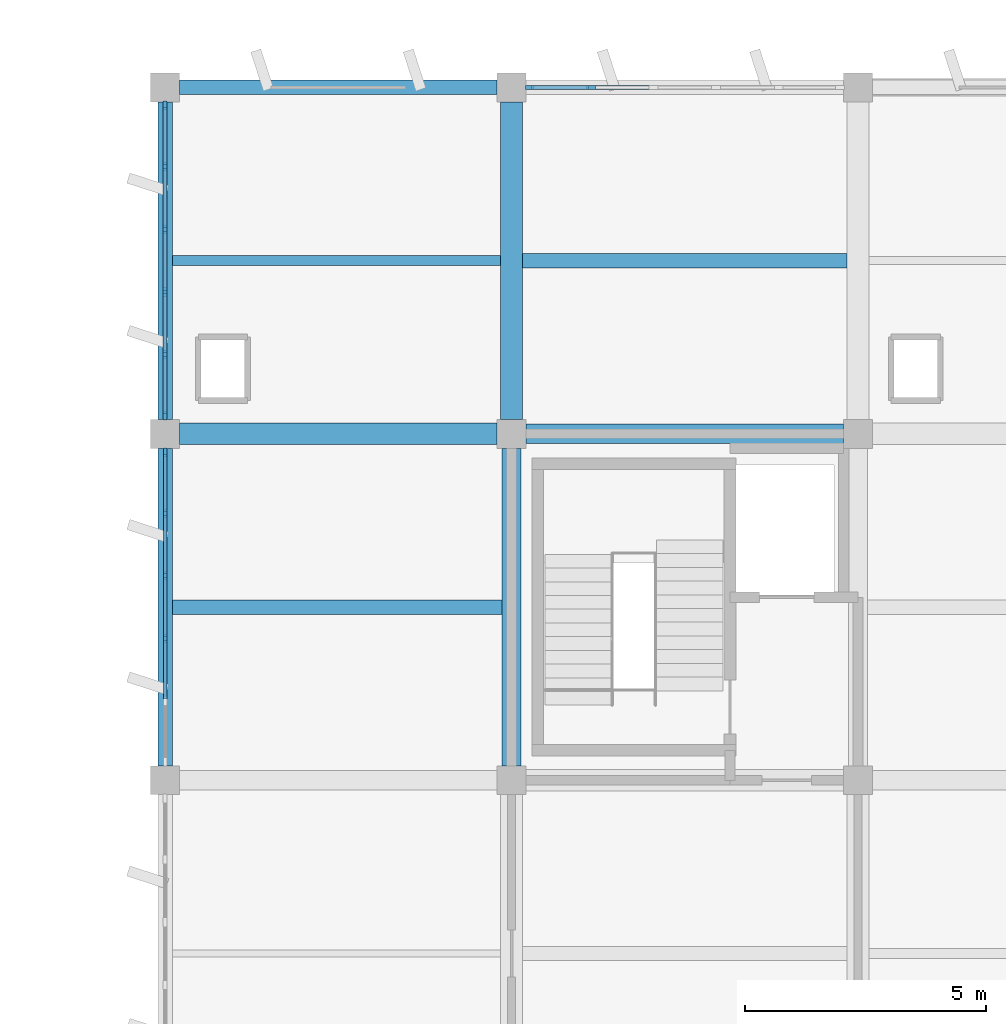
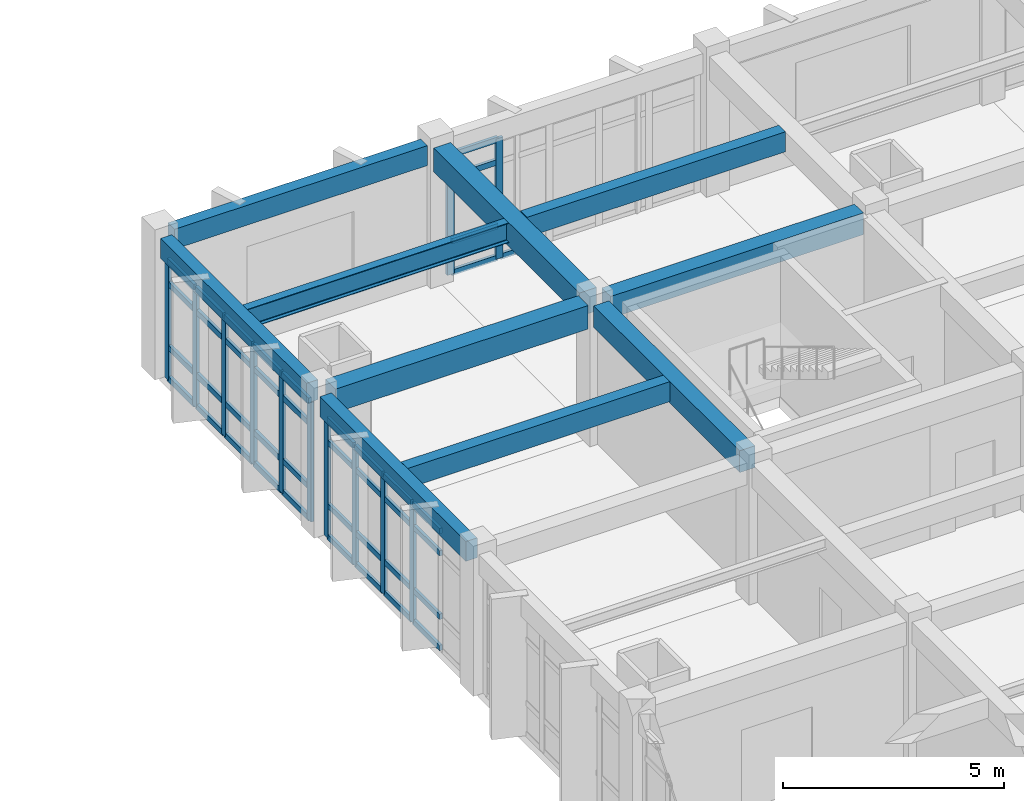
# One storey, part 20 of 62: 54 members, 9 beams, 3 elements without a shape of their own.
"""IFC4 building model written with IfcOpenShell, lengths in metres."""

from ifc_helpers import new_model, si_unit, direction, frame, origin, origin_2d, place, context, subcontext, project, spatial, rectangle, i_section, extrude, material, layer, layer_set, material_profile, profile_set, type_object, element, aggregate, save


model = new_model("IFC4")

# Units and contexts
model_context = context("Model", 3, precision=1e-05, world=origin(), true_north=direction((0.0, 1.0)))
body_context = subcontext(model_context, "Body", "Model", "MODEL_VIEW")
ifc_project = project(units=[si_unit("LENGTHUNIT", "METRE"), si_unit("AREAUNIT", "SQUARE_METRE"), si_unit("VOLUMEUNIT", "CUBIC_METRE"), si_unit("PLANEANGLEUNIT", "RADIAN"), si_unit("MASSUNIT", "GRAM", prefix="KILO")], contexts=[model_context])

# Site, building, storey
site_placement = place(None, origin())
site = spatial("IfcSite", under=ifc_project, at=site_placement, CompositionType="ELEMENT")
building_placement = place(site_placement, origin())
building = spatial("IfcBuilding", under=site, at=building_placement, Name="Kavelor Marine Aquarium", CompositionType="ELEMENT")
storey_placement = place(building_placement, frame((0.0, 0.0, 13.5)))
storey = spatial("IfcBuildingStorey", under=building, at=storey_placement, Name="L03", CompositionType="ELEMENT", Elevation=13.5)

# Beams
ifc_material_1 = material(Name="Concrete C40/50", Category="concrete")
ifc_material_profile_1 = material_profile(ifc_material_1, rectangle(XDim=0.449951171875, YDim=0.64990234375, at=origin_2d()), Name="RC-BM 450x650")
ifc_profile_set_1 = profile_set([ifc_material_profile_1], Name="Concrete C40/50")
beam_type_1 = type_object("IfcBeamType", Name="BM-B3", PredefinedType="BEAM", material=ifc_profile_set_1)
for number, where, z_axis, x_axis, name in (
    (1, (118.699951171875, 103.60009765625, 3.534912109375), (1.0, 0.0, 0.0), (0.0, 1.0, 0.0), "bm:x:L03:L04:16_14"),
    (2, (125.60009765625, 103.89990234375, 3.534912109375), (0.0, 1.0, 0.0), (-1.0, 0.0, 0.0), "bm:y:L03:L04:17_14"),
):
    element("IfcBeam", number, at=place(storey_placement, frame(where, z_axis=z_axis, x_axis=x_axis)), inside=storey, type_object=beam_type_1, Name=name, PredefinedType="BEAM", context=body_context, shape_type="SweptSolid", body=[
        extrude(rectangle(XDim=0.449951171875, YDim=0.64990234375, at=origin_2d()), origin(), (0.0, 0.0, 1.0), 6.60009765625),
    ])
ifc_material_2 = material(Name="Concrete C40/50", Category="concrete")
ifc_material_profile_2 = material_profile(ifc_material_2, rectangle(XDim=0.39990234375, YDim=0.60009765625, at=origin_2d()), Name="RC-BM 400x600")
ifc_profile_set_2 = profile_set([ifc_material_profile_2], Name="Concrete C40/50")
beam_type_2 = type_object("IfcBeamType", Name="BM-B4", PredefinedType="BEAM", material=ifc_profile_set_2)
for number, where, z_axis, x_axis, name in (
    (3, (125.89990234375, 103.60009765625, 3.580078125), (1.0, 0.0, 0.0), (0.0, 1.0, 0.0), "bm:x:L03:L04:17_14"),
    (4, (125.60009765625, 96.699951171875, 3.56005859375), (0.0, 1.0, 0.0), (-1.0, 0.0, 0.0), "bm:y:L03:L04:17_13"),
):
    element("IfcBeam", number, at=place(storey_placement, frame(where, z_axis=z_axis, x_axis=x_axis)), inside=storey, type_object=beam_type_2, Name=name, PredefinedType="BEAM", context=body_context, shape_type="SweptSolid", body=[
        extrude(rectangle(XDim=0.39990234375, YDim=0.60009765625, at=origin_2d()), origin(), (0.0, 0.0, 1.0), 6.60009765625),
    ])
ifc_material_3 = material(Name="Concrete C40/50", Category="concrete")
ifc_material_profile_3 = material_profile(ifc_material_3, rectangle(XDim=0.300048828125, YDim=0.550048828125, at=origin_2d()), Name="RC-JS 300x550")
ifc_profile_set_3 = profile_set([ifc_material_profile_3], Name="Concrete C40/50")
beam_type_3 = type_object("IfcBeamType", Name="BM-JS2", PredefinedType="JOIST", material=ifc_profile_set_3)
beam_1_placement = place(storey_placement, frame((118.550048828125, 100.0, 3.5849609375), z_axis=(1.0, 0.0, 0.0), x_axis=(0.0, 1.0, 0.0)))
element("IfcBeam", 5, at=beam_1_placement, inside=storey, type_object=beam_type_3, Name="js:L03:L04:16_13", PredefinedType="JOIST", context=body_context, shape_type="SweptSolid", body=[
    extrude(rectangle(XDim=0.300048828125, YDim=0.550048828125, at=origin_2d()), origin(), (0.0, 0.0, 1.0), 6.849853515625),
])
beam_2_placement = place(storey_placement, frame((125.824951171875, 107.199951171875, 3.60498046875), z_axis=(1.0, 0.0, 0.0), x_axis=(0.0, 1.0, 0.0)))
element("IfcBeam", 6, at=beam_2_placement, inside=storey, type_object=beam_type_3, Name="js:L03:L04:17_14", PredefinedType="JOIST", context=body_context, shape_type="SweptSolid", body=[
    extrude(rectangle(XDim=0.300048828125, YDim=0.550048828125, at=origin_2d()), origin(), (0.0, 0.0, 1.0), 6.75),
])
ifc_material_4 = material(Name="Concrete C40/50", Category="concrete")
ifc_material_profile_4 = material_profile(ifc_material_4, rectangle(XDim=0.300048828125, YDim=0.550048828125, at=origin_2d()), Name="RC-SP 300x550")
ifc_profile_set_4 = profile_set([ifc_material_profile_4], Name="Concrete C40/50")
beam_type_4 = type_object("IfcBeamType", Name="BM-SP2", PredefinedType="SPANDREL", material=ifc_profile_set_4)
for number, where, z_axis, x_axis, name in (
    (7, (118.699951171875, 110.800048828125, 3.5849609375), (1.0, 0.0, 0.0), (0.0, 1.0, 0.0), "bm:x:L03:L04:16_15"),
    (8, (118.39990234375, 96.699951171875, 3.5849609375), (0.0, 1.0, 0.0), (-1.0, 0.0, 0.0), "bm:y:L03:L04:16_13"),
    (9, (118.39990234375, 103.89990234375, 3.5849609375), (0.0, 1.0, 0.0), (-1.0, 0.0, 0.0), "bm:y:L03:L04:16_14"),
):
    element("IfcBeam", number, at=place(storey_placement, frame(where, z_axis=z_axis, x_axis=x_axis)), inside=storey, type_object=beam_type_4, Name=name, PredefinedType="SPANDREL", context=body_context, shape_type="SweptSolid", body=[
        extrude(rectangle(XDim=0.300048828125, YDim=0.550048828125, at=origin_2d()), origin(), (0.0, 0.0, 1.0), 6.60009765625),
    ])

# Curtain wall, members
ifc_material_5 = material(Name="Thermally Broken Aluminium and Low-E Glass", Category="aluminium")
ifc_layer_1 = layer(ifc_material_5, 0.196044921875)
ifc_layer_set_1 = layer_set([ifc_layer_1], Name="CW-SYS7")
curtain_wall_type_1 = type_object("IfcCurtainWallType", Name="CW-SYS7", PredefinedType="USERDEFINED", material=ifc_layer_set_1)
curtain_wall_1_placement = place(storey_placement, origin())
curtain_wall_1 = element("IfcCurtainWall", 10, at=curtain_wall_1_placement, inside=storey, type_object=curtain_wall_type_1, Name="cw:y:L03:16_13", ObjectType="Curtain Wall", PredefinedType="USERDEFINED")
ifc_material_6 = material(Name="Anodised Aluminium Alloy 6063-T6", Category="aluminium")
ifc_material_profile_5 = material_profile(ifc_material_6, rectangle(XDim=0.074951171875, YDim=0.179931640625, at=origin_2d()), Name="CW-MUL 75x180")
ifc_profile_set_5 = profile_set([ifc_material_profile_5], Name="Anodised Aluminium Alloy 6063-T6")
member_type_1 = type_object("IfcMemberType", Name="CWM-1", PredefinedType="MULLION", material=ifc_profile_set_5)
member_1_placement = place(storey_placement, frame((118.39990234375, 103.217529296875, 0.0), z_axis=(0.0, 0.0, 1.0), x_axis=(1.0, 0.0, 0.0)))
member_1 = element("IfcMember", 11, at=member_1_placement, type_object=member_type_1, Name="CW07 mullion 1", PredefinedType="MULLION", context=body_context, shape_type="SweptSolid", body=[
    extrude(rectangle(XDim=0.074951171875, YDim=0.179931640625, at=origin_2d()), origin(), (0.0, 0.0, 1.0), 3.300048828125),
])
member_2_placement = place(storey_placement, frame((118.39990234375, 101.952880859375, 0.0), z_axis=(0.0, 0.0, 1.0), x_axis=(1.0, 0.0, 0.0)))
member_2 = element("IfcMember", 12, at=member_2_placement, type_object=member_type_1, Name="CW07 mullion 2", PredefinedType="MULLION", context=body_context, shape_type="SweptSolid", body=[
    extrude(rectangle(XDim=0.074951171875, YDim=0.179931640625, at=origin_2d()), origin(), (0.0, 0.0, 1.0), 3.300048828125),
])
member_3_placement = place(storey_placement, frame((118.39990234375, 100.65087890625, 0.0), z_axis=(0.0, 0.0, 1.0), x_axis=(1.0, 0.0, 0.0)))
member_3 = element("IfcMember", 13, at=member_3_placement, type_object=member_type_1, Name="CW07 mullion 3", PredefinedType="MULLION", context=body_context, shape_type="SweptSolid", body=[
    extrude(rectangle(XDim=0.074951171875, YDim=0.179931640625, at=origin_2d()), origin(), (0.0, 0.0, 1.0), 3.300048828125),
])
member_4_placement = place(storey_placement, frame((118.39990234375, 99.34912109375, 0.0), z_axis=(0.0, 0.0, 1.0), x_axis=(1.0, 0.0, 0.0)))
member_4 = element("IfcMember", 14, at=member_4_placement, type_object=member_type_1, Name="CW07 mullion 4", PredefinedType="MULLION", context=body_context, shape_type="SweptSolid", body=[
    extrude(rectangle(XDim=0.074951171875, YDim=0.179931640625, at=origin_2d()), origin(), (0.0, 0.0, 1.0), 3.300048828125),
])

ifc_material_7 = material(Name="Thermally Broken Aluminium and Low-E Glass", Category="aluminium")
ifc_layer_2 = layer(ifc_material_7, 0.2041015625)
ifc_layer_set_2 = layer_set([ifc_layer_2], Name="CW-SYS8")
curtain_wall_type_2 = type_object("IfcCurtainWallType", Name="CW-SYS8", PredefinedType="USERDEFINED", material=ifc_layer_set_2)
curtain_wall_2_placement = place(storey_placement, origin())
curtain_wall_2 = element("IfcCurtainWall", 15, at=curtain_wall_2_placement, inside=storey, type_object=curtain_wall_type_2, Name="cw:x:L03:17_15", ObjectType="Curtain Wall", PredefinedType="USERDEFINED")
ifc_material_8 = material(Name="Anodised Aluminium Alloy 6063-T6", Category="aluminium")
ifc_material_profile_6 = material_profile(ifc_material_8, rectangle(XDim=0.080078125, YDim=0.18505859375, at=origin_2d()), Name="CW-MUL 80x185")
ifc_profile_set_6 = profile_set([ifc_material_profile_6], Name="Anodised Aluminium Alloy 6063-T6")
member_type_2 = type_object("IfcMemberType", Name="CWM-2", PredefinedType="MULLION", material=ifc_profile_set_6)
member_5_placement = place(storey_placement, frame((125.9775390625, 110.800048828125, 0.0), z_axis=(0.0, 0.0, 1.0), x_axis=(0.0, 1.0, 0.0)))
member_5 = element("IfcMember", 16, at=member_5_placement, type_object=member_type_2, Name="CW08 mullion 1", PredefinedType="MULLION", context=body_context, shape_type="SweptSolid", body=[
    extrude(rectangle(XDim=0.080078125, YDim=0.18505859375, at=origin_2d()), origin(), (0.0, 0.0, 1.0), 3.320068359375),
])
member_6_placement = place(storey_placement, frame((127.2470703125, 110.800048828125, 0.0), z_axis=(0.0, 0.0, 1.0), x_axis=(0.0, 1.0, 0.0)))
member_6 = element("IfcMember", 17, at=member_6_placement, type_object=member_type_2, Name="CW08 mullion 2", PredefinedType="MULLION", context=body_context, shape_type="SweptSolid", body=[
    extrude(rectangle(XDim=0.080078125, YDim=0.18505859375, at=origin_2d()), origin(), (0.0, 0.0, 1.0), 3.320068359375),
])

curtain_wall_3_placement = place(storey_placement, origin())
curtain_wall_3 = element("IfcCurtainWall", 18, at=curtain_wall_3_placement, inside=storey, type_object=curtain_wall_type_2, Name="cw:y:L03:16_14", ObjectType="Curtain Wall", PredefinedType="USERDEFINED")
member_7_placement = place(storey_placement, frame((118.39990234375, 110.422607421875, 0.0), z_axis=(0.0, 0.0, 1.0), x_axis=(1.0, 0.0, 0.0)))
member_7 = element("IfcMember", 19, at=member_7_placement, type_object=member_type_2, Name="CW08 mullion 1", PredefinedType="MULLION", context=body_context, shape_type="SweptSolid", body=[
    extrude(rectangle(XDim=0.080078125, YDim=0.18505859375, at=origin_2d()), origin(), (0.0, 0.0, 1.0), 3.300048828125),
])
member_8_placement = place(storey_placement, frame((118.39990234375, 109.153076171875, 0.0), z_axis=(0.0, 0.0, 1.0), x_axis=(1.0, 0.0, 0.0)))
member_8 = element("IfcMember", 20, at=member_8_placement, type_object=member_type_2, Name="CW08 mullion 2", PredefinedType="MULLION", context=body_context, shape_type="SweptSolid", body=[
    extrude(rectangle(XDim=0.080078125, YDim=0.18505859375, at=origin_2d()), origin(), (0.0, 0.0, 1.0), 3.300048828125),
])
member_9_placement = place(storey_placement, frame((118.39990234375, 107.85107421875, 0.0), z_axis=(0.0, 0.0, 1.0), x_axis=(1.0, 0.0, 0.0)))
member_9 = element("IfcMember", 21, at=member_9_placement, type_object=member_type_2, Name="CW08 mullion 3", PredefinedType="MULLION", context=body_context, shape_type="SweptSolid", body=[
    extrude(rectangle(XDim=0.080078125, YDim=0.18505859375, at=origin_2d()), origin(), (0.0, 0.0, 1.0), 3.300048828125),
])
member_10_placement = place(storey_placement, frame((118.39990234375, 106.549072265625, 0.0), z_axis=(0.0, 0.0, 1.0), x_axis=(1.0, 0.0, 0.0)))
member_10 = element("IfcMember", 22, at=member_10_placement, type_object=member_type_2, Name="CW08 mullion 4", PredefinedType="MULLION", context=body_context, shape_type="SweptSolid", body=[
    extrude(rectangle(XDim=0.080078125, YDim=0.18505859375, at=origin_2d()), origin(), (0.0, 0.0, 1.0), 3.300048828125),
])
member_11_placement = place(storey_placement, frame((118.39990234375, 105.2470703125, 0.0), z_axis=(0.0, 0.0, 1.0), x_axis=(1.0, 0.0, 0.0)))
member_11 = element("IfcMember", 23, at=member_11_placement, type_object=member_type_2, Name="CW08 mullion 5", PredefinedType="MULLION", context=body_context, shape_type="SweptSolid", body=[
    extrude(rectangle(XDim=0.080078125, YDim=0.18505859375, at=origin_2d()), origin(), (0.0, 0.0, 1.0), 3.300048828125),
])
member_12_placement = place(storey_placement, frame((118.39990234375, 103.9775390625, 0.0), z_axis=(0.0, 0.0, 1.0), x_axis=(1.0, 0.0, 0.0)))
member_12 = element("IfcMember", 24, at=member_12_placement, type_object=member_type_2, Name="CW08 mullion 6", PredefinedType="MULLION", context=body_context, shape_type="SweptSolid", body=[
    extrude(rectangle(XDim=0.080078125, YDim=0.18505859375, at=origin_2d()), origin(), (0.0, 0.0, 1.0), 3.300048828125),
])

# Member
ifc_material_9 = material(Name="Anodised Aluminium Alloy 6063-T6", Category="aluminium")
ifc_material_profile_7 = material_profile(ifc_material_9, rectangle(XDim=0.074951171875, YDim=0.14990234375, at=origin_2d()), Name="CW-TRN 75x150")
ifc_profile_set_7 = profile_set([ifc_material_profile_7], Name="Anodised Aluminium Alloy 6063-T6")
member_type_3 = type_object("IfcMemberType", Name="CWT-1", PredefinedType="USERDEFINED", material=ifc_profile_set_7)
member_13_placement = place(storey_placement, frame((118.39990234375, 103.179931640625, 0.03759765625), z_axis=(0.0, -1.0, 0.0), x_axis=(1.0, 0.0, 0.0)))
member_13 = element("IfcMember", 25, at=member_13_placement, type_object=member_type_3, Name="CW07 transom 1.1", ObjectType="TRANSOM", PredefinedType="USERDEFINED", context=body_context, shape_type="SweptSolid", body=[
    extrude(rectangle(XDim=0.074951171875, YDim=0.14990234375, at=origin_2d()), origin(), (0.0, 0.0, 1.0), 1.189453125),
])

member_14_placement = place(storey_placement, frame((118.39990234375, 103.179931640625, 0.89990234375), z_axis=(0.0, -1.0, 0.0), x_axis=(1.0, 0.0, 0.0)))
member_14 = element("IfcMember", 26, at=member_14_placement, type_object=member_type_3, Name="CW07 transom 1.2", ObjectType="TRANSOM", PredefinedType="USERDEFINED", context=body_context, shape_type="SweptSolid", body=[
    extrude(rectangle(XDim=0.074951171875, YDim=0.14990234375, at=origin_2d()), origin(), (0.0, 0.0, 1.0), 1.189453125),
])

member_15_placement = place(storey_placement, frame((118.39990234375, 103.179931640625, 2.64990234375), z_axis=(0.0, -1.0, 0.0), x_axis=(1.0, 0.0, 0.0)))
member_15 = element("IfcMember", 27, at=member_15_placement, type_object=member_type_3, Name="CW07 transom 1.3", ObjectType="TRANSOM", PredefinedType="USERDEFINED", context=body_context, shape_type="SweptSolid", body=[
    extrude(rectangle(XDim=0.074951171875, YDim=0.14990234375, at=origin_2d()), origin(), (0.0, 0.0, 1.0), 1.189453125),
])

member_16_placement = place(storey_placement, frame((118.39990234375, 103.179931640625, 3.262451171875), z_axis=(0.0, -1.0, 0.0), x_axis=(1.0, 0.0, 0.0)))
member_16 = element("IfcMember", 28, at=member_16_placement, type_object=member_type_3, Name="CW07 transom 1.4", ObjectType="TRANSOM", PredefinedType="USERDEFINED", context=body_context, shape_type="SweptSolid", body=[
    extrude(rectangle(XDim=0.074951171875, YDim=0.14990234375, at=origin_2d()), origin(), (0.0, 0.0, 1.0), 1.189453125),
])

member_17_placement = place(storey_placement, frame((118.39990234375, 101.91552734375, 0.03759765625), z_axis=(0.0, -1.0, 0.0), x_axis=(1.0, 0.0, 0.0)))
member_17 = element("IfcMember", 29, at=member_17_placement, type_object=member_type_3, Name="CW07 transom 2.1", ObjectType="TRANSOM", PredefinedType="USERDEFINED", context=body_context, shape_type="SweptSolid", body=[
    extrude(rectangle(XDim=0.074951171875, YDim=0.14990234375, at=origin_2d()), origin(), (0.0, 0.0, 1.0), 1.22705078125),
])

member_18_placement = place(storey_placement, frame((118.39990234375, 101.91552734375, 0.89990234375), z_axis=(0.0, -1.0, 0.0), x_axis=(1.0, 0.0, 0.0)))
member_18 = element("IfcMember", 30, at=member_18_placement, type_object=member_type_3, Name="CW07 transom 2.2", ObjectType="TRANSOM", PredefinedType="USERDEFINED", context=body_context, shape_type="SweptSolid", body=[
    extrude(rectangle(XDim=0.074951171875, YDim=0.14990234375, at=origin_2d()), origin(), (0.0, 0.0, 1.0), 1.22705078125),
])

member_19_placement = place(storey_placement, frame((118.39990234375, 101.91552734375, 2.64990234375), z_axis=(0.0, -1.0, 0.0), x_axis=(1.0, 0.0, 0.0)))
member_19 = element("IfcMember", 31, at=member_19_placement, type_object=member_type_3, Name="CW07 transom 2.3", ObjectType="TRANSOM", PredefinedType="USERDEFINED", context=body_context, shape_type="SweptSolid", body=[
    extrude(rectangle(XDim=0.074951171875, YDim=0.14990234375, at=origin_2d()), origin(), (0.0, 0.0, 1.0), 1.22705078125),
])

member_20_placement = place(storey_placement, frame((118.39990234375, 101.91552734375, 3.262451171875), z_axis=(0.0, -1.0, 0.0), x_axis=(1.0, 0.0, 0.0)))
member_20 = element("IfcMember", 32, at=member_20_placement, type_object=member_type_3, Name="CW07 transom 2.4", ObjectType="TRANSOM", PredefinedType="USERDEFINED", context=body_context, shape_type="SweptSolid", body=[
    extrude(rectangle(XDim=0.074951171875, YDim=0.14990234375, at=origin_2d()), origin(), (0.0, 0.0, 1.0), 1.22705078125),
])

member_21_placement = place(storey_placement, frame((118.39990234375, 100.613525390625, 0.03759765625), z_axis=(0.0, -1.0, 0.0), x_axis=(1.0, 0.0, 0.0)))
member_21 = element("IfcMember", 33, at=member_21_placement, type_object=member_type_3, Name="CW07 transom 3.1", ObjectType="TRANSOM", PredefinedType="USERDEFINED", context=body_context, shape_type="SweptSolid", body=[
    extrude(rectangle(XDim=0.074951171875, YDim=0.14990234375, at=origin_2d()), origin(), (0.0, 0.0, 1.0), 1.22705078125),
])

member_22_placement = place(storey_placement, frame((118.39990234375, 100.613525390625, 0.89990234375), z_axis=(0.0, -1.0, 0.0), x_axis=(1.0, 0.0, 0.0)))
member_22 = element("IfcMember", 34, at=member_22_placement, type_object=member_type_3, Name="CW07 transom 3.2", ObjectType="TRANSOM", PredefinedType="USERDEFINED", context=body_context, shape_type="SweptSolid", body=[
    extrude(rectangle(XDim=0.074951171875, YDim=0.14990234375, at=origin_2d()), origin(), (0.0, 0.0, 1.0), 1.22705078125),
])

member_23_placement = place(storey_placement, frame((118.39990234375, 100.613525390625, 2.64990234375), z_axis=(0.0, -1.0, 0.0), x_axis=(1.0, 0.0, 0.0)))
member_23 = element("IfcMember", 35, at=member_23_placement, type_object=member_type_3, Name="CW07 transom 3.3", ObjectType="TRANSOM", PredefinedType="USERDEFINED", context=body_context, shape_type="SweptSolid", body=[
    extrude(rectangle(XDim=0.074951171875, YDim=0.14990234375, at=origin_2d()), origin(), (0.0, 0.0, 1.0), 1.22705078125),
])

member_24_placement = place(storey_placement, frame((118.39990234375, 100.613525390625, 3.262451171875), z_axis=(0.0, -1.0, 0.0), x_axis=(1.0, 0.0, 0.0)))
member_24 = element("IfcMember", 36, at=member_24_placement, type_object=member_type_3, Name="CW07 transom 3.4", ObjectType="TRANSOM", PredefinedType="USERDEFINED", context=body_context, shape_type="SweptSolid", body=[
    extrude(rectangle(XDim=0.074951171875, YDim=0.14990234375, at=origin_2d()), origin(), (0.0, 0.0, 1.0), 1.22705078125),
])

member_25_placement = place(storey_placement, frame((118.39990234375, 99.3115234375, 0.03759765625), z_axis=(0.0, -1.0, 0.0), x_axis=(1.0, 0.0, 0.0)))
member_25 = element("IfcMember", 37, at=member_25_placement, type_object=member_type_3, Name="CW07 transom 4.1", ObjectType="TRANSOM", PredefinedType="USERDEFINED", context=body_context, shape_type="SweptSolid", body=[
    extrude(rectangle(XDim=0.074951171875, YDim=0.14990234375, at=origin_2d()), origin(), (0.0, 0.0, 1.0), 1.22705078125),
])

member_26_placement = place(storey_placement, frame((118.39990234375, 99.3115234375, 0.89990234375), z_axis=(0.0, -1.0, 0.0), x_axis=(1.0, 0.0, 0.0)))
member_26 = element("IfcMember", 38, at=member_26_placement, type_object=member_type_3, Name="CW07 transom 4.2", ObjectType="TRANSOM", PredefinedType="USERDEFINED", context=body_context, shape_type="SweptSolid", body=[
    extrude(rectangle(XDim=0.074951171875, YDim=0.14990234375, at=origin_2d()), origin(), (0.0, 0.0, 1.0), 1.22705078125),
])

member_27_placement = place(storey_placement, frame((118.39990234375, 99.3115234375, 2.64990234375), z_axis=(0.0, -1.0, 0.0), x_axis=(1.0, 0.0, 0.0)))
member_27 = element("IfcMember", 39, at=member_27_placement, type_object=member_type_3, Name="CW07 transom 4.3", ObjectType="TRANSOM", PredefinedType="USERDEFINED", context=body_context, shape_type="SweptSolid", body=[
    extrude(rectangle(XDim=0.074951171875, YDim=0.14990234375, at=origin_2d()), origin(), (0.0, 0.0, 1.0), 1.22705078125),
])

member_28_placement = place(storey_placement, frame((118.39990234375, 99.3115234375, 3.262451171875), z_axis=(0.0, -1.0, 0.0), x_axis=(1.0, 0.0, 0.0)))
member_28 = element("IfcMember", 40, at=member_28_placement, type_object=member_type_3, Name="CW07 transom 4.4", ObjectType="TRANSOM", PredefinedType="USERDEFINED", context=body_context, shape_type="SweptSolid", body=[
    extrude(rectangle(XDim=0.074951171875, YDim=0.14990234375, at=origin_2d()), origin(), (0.0, 0.0, 1.0), 1.22705078125),
])

aggregate(curtain_wall_1, [member_1, member_2, member_3, member_4, member_13, member_14, member_15, member_16, member_17, member_18, member_19, member_20, member_21, member_22, member_23, member_24, member_25, member_26, member_27, member_28])

ifc_material_10 = material(Name="Anodised Aluminium Alloy 6063-T6", Category="aluminium")
ifc_material_profile_8 = material_profile(ifc_material_10, rectangle(XDim=0.080078125, YDim=0.155029296875, at=origin_2d()), Name="CW-TRN 80x155")
ifc_profile_set_8 = profile_set([ifc_material_profile_8], Name="Anodised Aluminium Alloy 6063-T6")
member_type_4 = type_object("IfcMemberType", Name="CWT-2", PredefinedType="USERDEFINED", material=ifc_profile_set_8)
member_29_placement = place(storey_placement, frame((126.010009765625, 110.800048828125, 0.032470703125), z_axis=(1.0, 0.0, 0.0), x_axis=(0.0, 1.0, 0.0)))
member_29 = element("IfcMember", 41, at=member_29_placement, type_object=member_type_4, Name="CW08 transom 1.1", ObjectType="TRANSOM", PredefinedType="USERDEFINED", context=body_context, shape_type="SweptSolid", body=[
    extrude(rectangle(XDim=0.080078125, YDim=0.155029296875, at=origin_2d()), origin(), (0.0, 0.0, 1.0), 1.20458984375),
])

member_30_placement = place(storey_placement, frame((126.010009765625, 110.800048828125, 0.89990234375), z_axis=(1.0, 0.0, 0.0), x_axis=(0.0, 1.0, 0.0)))
member_30 = element("IfcMember", 42, at=member_30_placement, type_object=member_type_4, Name="CW08 transom 1.2", ObjectType="TRANSOM", PredefinedType="USERDEFINED", context=body_context, shape_type="SweptSolid", body=[
    extrude(rectangle(XDim=0.080078125, YDim=0.155029296875, at=origin_2d()), origin(), (0.0, 0.0, 1.0), 1.20458984375),
])

member_31_placement = place(storey_placement, frame((126.010009765625, 110.800048828125, 2.669921875), z_axis=(1.0, 0.0, 0.0), x_axis=(0.0, 1.0, 0.0)))
member_31 = element("IfcMember", 43, at=member_31_placement, type_object=member_type_4, Name="CW08 transom 1.3", ObjectType="TRANSOM", PredefinedType="USERDEFINED", context=body_context, shape_type="SweptSolid", body=[
    extrude(rectangle(XDim=0.080078125, YDim=0.155029296875, at=origin_2d()), origin(), (0.0, 0.0, 1.0), 1.20458984375),
])

member_32_placement = place(storey_placement, frame((126.010009765625, 110.800048828125, 3.28759765625), z_axis=(1.0, 0.0, 0.0), x_axis=(0.0, 1.0, 0.0)))
member_32 = element("IfcMember", 44, at=member_32_placement, type_object=member_type_4, Name="CW08 transom 1.4", ObjectType="TRANSOM", PredefinedType="USERDEFINED", context=body_context, shape_type="SweptSolid", body=[
    extrude(rectangle(XDim=0.080078125, YDim=0.155029296875, at=origin_2d()), origin(), (0.0, 0.0, 1.0), 1.20458984375),
])

member_33_placement = place(storey_placement, frame((127.279541015625, 110.800048828125, 0.032470703125), z_axis=(1.0, 0.0, 0.0), x_axis=(0.0, 1.0, 0.0)))
member_33 = element("IfcMember", 45, at=member_33_placement, type_object=member_type_4, Name="CW08 transom 2.1", ObjectType="TRANSOM", PredefinedType="USERDEFINED", context=body_context, shape_type="SweptSolid", body=[
    extrude(rectangle(XDim=0.080078125, YDim=0.155029296875, at=origin_2d()), origin(), (0.0, 0.0, 1.0), 1.237060546875),
])

aggregate(curtain_wall_2, [member_5, member_6, member_29, member_30, member_31, member_32, member_33])

member_34_placement = place(storey_placement, frame((118.39990234375, 110.389892578125, 0.032470703125), z_axis=(0.0, -1.0, 0.0), x_axis=(1.0, 0.0, 0.0)))
member_34 = element("IfcMember", 46, at=member_34_placement, type_object=member_type_4, Name="CW08 transom 1.1", ObjectType="TRANSOM", PredefinedType="USERDEFINED", context=body_context, shape_type="SweptSolid", body=[
    extrude(rectangle(XDim=0.080078125, YDim=0.155029296875, at=origin_2d()), origin(), (0.0, 0.0, 1.0), 1.204345703125),
])

member_35_placement = place(storey_placement, frame((118.39990234375, 110.389892578125, 0.89990234375), z_axis=(0.0, -1.0, 0.0), x_axis=(1.0, 0.0, 0.0)))
member_35 = element("IfcMember", 47, at=member_35_placement, type_object=member_type_4, Name="CW08 transom 1.2", ObjectType="TRANSOM", PredefinedType="USERDEFINED", context=body_context, shape_type="SweptSolid", body=[
    extrude(rectangle(XDim=0.080078125, YDim=0.155029296875, at=origin_2d()), origin(), (0.0, 0.0, 1.0), 1.204345703125),
])

member_36_placement = place(storey_placement, frame((118.39990234375, 110.389892578125, 2.64990234375), z_axis=(0.0, -1.0, 0.0), x_axis=(1.0, 0.0, 0.0)))
member_36 = element("IfcMember", 48, at=member_36_placement, type_object=member_type_4, Name="CW08 transom 1.3", ObjectType="TRANSOM", PredefinedType="USERDEFINED", context=body_context, shape_type="SweptSolid", body=[
    extrude(rectangle(XDim=0.080078125, YDim=0.155029296875, at=origin_2d()), origin(), (0.0, 0.0, 1.0), 1.204345703125),
])

member_37_placement = place(storey_placement, frame((118.39990234375, 110.389892578125, 3.267578125), z_axis=(0.0, -1.0, 0.0), x_axis=(1.0, 0.0, 0.0)))
member_37 = element("IfcMember", 49, at=member_37_placement, type_object=member_type_4, Name="CW08 transom 1.4", ObjectType="TRANSOM", PredefinedType="USERDEFINED", context=body_context, shape_type="SweptSolid", body=[
    extrude(rectangle(XDim=0.080078125, YDim=0.155029296875, at=origin_2d()), origin(), (0.0, 0.0, 1.0), 1.204345703125),
])

member_38_placement = place(storey_placement, frame((118.39990234375, 109.12060546875, 0.032470703125), z_axis=(0.0, -1.0, 0.0), x_axis=(1.0, 0.0, 0.0)))
member_38 = element("IfcMember", 50, at=member_38_placement, type_object=member_type_4, Name="CW08 transom 2.1", ObjectType="TRANSOM", PredefinedType="USERDEFINED", context=body_context, shape_type="SweptSolid", body=[
    extrude(rectangle(XDim=0.080078125, YDim=0.155029296875, at=origin_2d()), origin(), (0.0, 0.0, 1.0), 1.237060546875),
])

member_39_placement = place(storey_placement, frame((118.39990234375, 109.12060546875, 0.89990234375), z_axis=(0.0, -1.0, 0.0), x_axis=(1.0, 0.0, 0.0)))
member_39 = element("IfcMember", 51, at=member_39_placement, type_object=member_type_4, Name="CW08 transom 2.2", ObjectType="TRANSOM", PredefinedType="USERDEFINED", context=body_context, shape_type="SweptSolid", body=[
    extrude(rectangle(XDim=0.080078125, YDim=0.155029296875, at=origin_2d()), origin(), (0.0, 0.0, 1.0), 1.237060546875),
])

member_40_placement = place(storey_placement, frame((118.39990234375, 109.12060546875, 2.64990234375), z_axis=(0.0, -1.0, 0.0), x_axis=(1.0, 0.0, 0.0)))
member_40 = element("IfcMember", 52, at=member_40_placement, type_object=member_type_4, Name="CW08 transom 2.3", ObjectType="TRANSOM", PredefinedType="USERDEFINED", context=body_context, shape_type="SweptSolid", body=[
    extrude(rectangle(XDim=0.080078125, YDim=0.155029296875, at=origin_2d()), origin(), (0.0, 0.0, 1.0), 1.237060546875),
])

member_41_placement = place(storey_placement, frame((118.39990234375, 109.12060546875, 3.267578125), z_axis=(0.0, -1.0, 0.0), x_axis=(1.0, 0.0, 0.0)))
member_41 = element("IfcMember", 53, at=member_41_placement, type_object=member_type_4, Name="CW08 transom 2.4", ObjectType="TRANSOM", PredefinedType="USERDEFINED", context=body_context, shape_type="SweptSolid", body=[
    extrude(rectangle(XDim=0.080078125, YDim=0.155029296875, at=origin_2d()), origin(), (0.0, 0.0, 1.0), 1.237060546875),
])

member_42_placement = place(storey_placement, frame((118.39990234375, 107.818603515625, 0.032470703125), z_axis=(0.0, -1.0, 0.0), x_axis=(1.0, 0.0, 0.0)))
member_42 = element("IfcMember", 54, at=member_42_placement, type_object=member_type_4, Name="CW08 transom 3.1", ObjectType="TRANSOM", PredefinedType="USERDEFINED", context=body_context, shape_type="SweptSolid", body=[
    extrude(rectangle(XDim=0.080078125, YDim=0.155029296875, at=origin_2d()), origin(), (0.0, 0.0, 1.0), 1.237060546875),
])

member_43_placement = place(storey_placement, frame((118.39990234375, 107.818603515625, 0.89990234375), z_axis=(0.0, -1.0, 0.0), x_axis=(1.0, 0.0, 0.0)))
member_43 = element("IfcMember", 55, at=member_43_placement, type_object=member_type_4, Name="CW08 transom 3.2", ObjectType="TRANSOM", PredefinedType="USERDEFINED", context=body_context, shape_type="SweptSolid", body=[
    extrude(rectangle(XDim=0.080078125, YDim=0.155029296875, at=origin_2d()), origin(), (0.0, 0.0, 1.0), 1.237060546875),
])

member_44_placement = place(storey_placement, frame((118.39990234375, 107.818603515625, 2.64990234375), z_axis=(0.0, -1.0, 0.0), x_axis=(1.0, 0.0, 0.0)))
member_44 = element("IfcMember", 56, at=member_44_placement, type_object=member_type_4, Name="CW08 transom 3.3", ObjectType="TRANSOM", PredefinedType="USERDEFINED", context=body_context, shape_type="SweptSolid", body=[
    extrude(rectangle(XDim=0.080078125, YDim=0.155029296875, at=origin_2d()), origin(), (0.0, 0.0, 1.0), 1.237060546875),
])

member_45_placement = place(storey_placement, frame((118.39990234375, 107.818603515625, 3.267578125), z_axis=(0.0, -1.0, 0.0), x_axis=(1.0, 0.0, 0.0)))
member_45 = element("IfcMember", 57, at=member_45_placement, type_object=member_type_4, Name="CW08 transom 3.4", ObjectType="TRANSOM", PredefinedType="USERDEFINED", context=body_context, shape_type="SweptSolid", body=[
    extrude(rectangle(XDim=0.080078125, YDim=0.155029296875, at=origin_2d()), origin(), (0.0, 0.0, 1.0), 1.237060546875),
])

member_46_placement = place(storey_placement, frame((118.39990234375, 106.5166015625, 0.032470703125), z_axis=(0.0, -1.0, 0.0), x_axis=(1.0, 0.0, 0.0)))
member_46 = element("IfcMember", 58, at=member_46_placement, type_object=member_type_4, Name="CW08 transom 4.1", ObjectType="TRANSOM", PredefinedType="USERDEFINED", context=body_context, shape_type="SweptSolid", body=[
    extrude(rectangle(XDim=0.080078125, YDim=0.155029296875, at=origin_2d()), origin(), (0.0, 0.0, 1.0), 1.237060546875),
])

member_47_placement = place(storey_placement, frame((118.39990234375, 106.5166015625, 0.89990234375), z_axis=(0.0, -1.0, 0.0), x_axis=(1.0, 0.0, 0.0)))
member_47 = element("IfcMember", 59, at=member_47_placement, type_object=member_type_4, Name="CW08 transom 4.2", ObjectType="TRANSOM", PredefinedType="USERDEFINED", context=body_context, shape_type="SweptSolid", body=[
    extrude(rectangle(XDim=0.080078125, YDim=0.155029296875, at=origin_2d()), origin(), (0.0, 0.0, 1.0), 1.237060546875),
])

member_48_placement = place(storey_placement, frame((118.39990234375, 106.5166015625, 2.64990234375), z_axis=(0.0, -1.0, 0.0), x_axis=(1.0, 0.0, 0.0)))
member_48 = element("IfcMember", 60, at=member_48_placement, type_object=member_type_4, Name="CW08 transom 4.3", ObjectType="TRANSOM", PredefinedType="USERDEFINED", context=body_context, shape_type="SweptSolid", body=[
    extrude(rectangle(XDim=0.080078125, YDim=0.155029296875, at=origin_2d()), origin(), (0.0, 0.0, 1.0), 1.237060546875),
])

member_49_placement = place(storey_placement, frame((118.39990234375, 106.5166015625, 3.267578125), z_axis=(0.0, -1.0, 0.0), x_axis=(1.0, 0.0, 0.0)))
member_49 = element("IfcMember", 61, at=member_49_placement, type_object=member_type_4, Name="CW08 transom 4.4", ObjectType="TRANSOM", PredefinedType="USERDEFINED", context=body_context, shape_type="SweptSolid", body=[
    extrude(rectangle(XDim=0.080078125, YDim=0.155029296875, at=origin_2d()), origin(), (0.0, 0.0, 1.0), 1.237060546875),
])

member_50_placement = place(storey_placement, frame((118.39990234375, 105.214599609375, 0.032470703125), z_axis=(0.0, -1.0, 0.0), x_axis=(1.0, 0.0, 0.0)))
member_50 = element("IfcMember", 62, at=member_50_placement, type_object=member_type_4, Name="CW08 transom 5.1", ObjectType="TRANSOM", PredefinedType="USERDEFINED", context=body_context, shape_type="SweptSolid", body=[
    extrude(rectangle(XDim=0.080078125, YDim=0.155029296875, at=origin_2d()), origin(), (0.0, 0.0, 1.0), 1.20458984375),
])

member_51_placement = place(storey_placement, frame((118.39990234375, 105.214599609375, 0.89990234375), z_axis=(0.0, -1.0, 0.0), x_axis=(1.0, 0.0, 0.0)))
member_51 = element("IfcMember", 63, at=member_51_placement, type_object=member_type_4, Name="CW08 transom 5.2", ObjectType="TRANSOM", PredefinedType="USERDEFINED", context=body_context, shape_type="SweptSolid", body=[
    extrude(rectangle(XDim=0.080078125, YDim=0.155029296875, at=origin_2d()), origin(), (0.0, 0.0, 1.0), 1.20458984375),
])

member_52_placement = place(storey_placement, frame((118.39990234375, 105.214599609375, 2.64990234375), z_axis=(0.0, -1.0, 0.0), x_axis=(1.0, 0.0, 0.0)))
member_52 = element("IfcMember", 64, at=member_52_placement, type_object=member_type_4, Name="CW08 transom 5.3", ObjectType="TRANSOM", PredefinedType="USERDEFINED", context=body_context, shape_type="SweptSolid", body=[
    extrude(rectangle(XDim=0.080078125, YDim=0.155029296875, at=origin_2d()), origin(), (0.0, 0.0, 1.0), 1.20458984375),
])

member_53_placement = place(storey_placement, frame((118.39990234375, 105.214599609375, 3.267578125), z_axis=(0.0, -1.0, 0.0), x_axis=(1.0, 0.0, 0.0)))
member_53 = element("IfcMember", 65, at=member_53_placement, type_object=member_type_4, Name="CW08 transom 5.4", ObjectType="TRANSOM", PredefinedType="USERDEFINED", context=body_context, shape_type="SweptSolid", body=[
    extrude(rectangle(XDim=0.080078125, YDim=0.155029296875, at=origin_2d()), origin(), (0.0, 0.0, 1.0), 1.20458984375),
])

aggregate(curtain_wall_3, [member_7, member_8, member_9, member_10, member_11, member_12, member_34, member_35, member_36, member_37, member_38, member_39, member_40, member_41, member_42, member_43, member_44, member_45, member_46, member_47, member_48, member_49, member_50, member_51, member_52, member_53])

ifc_material_11 = material(Name="Steel S355", Category="steel")
ifc_material_profile_9 = material_profile(ifc_material_11, i_section(OverallWidth=0.2099609375, OverallDepth=0.550048828125, WebThickness=0.010986328125, FlangeThickness=0.01708984375, FilletRadius=0.02392578125, at=origin_2d()), Name="IPE 550")
ifc_profile_set_9 = profile_set([ifc_material_profile_9], Name="Steel S355")
member_type_5 = type_object("IfcMemberType", Name="PR-SJ1", PredefinedType="PURLIN", material=ifc_profile_set_9)
member_54_placement = place(storey_placement, frame((118.550048828125, 107.199951171875, 3.5849609375), z_axis=(1.0, 0.0, 0.0), x_axis=(0.0, 1.0, 0.0)))
element("IfcMember", 66, at=member_54_placement, inside=storey, type_object=member_type_5, Name="js:L03:L04:16_14", PredefinedType="PURLIN", context=body_context, shape_type="SweptSolid", body=[
    extrude(i_section(OverallWidth=0.2099609375, OverallDepth=0.550048828125, WebThickness=0.010986328125, FlangeThickness=0.01708984375, FilletRadius=0.02392578125, at=origin_2d()), origin(), (0.0, 0.0, 1.0), 6.824951171875),
])

save(model, "model.ifc")
